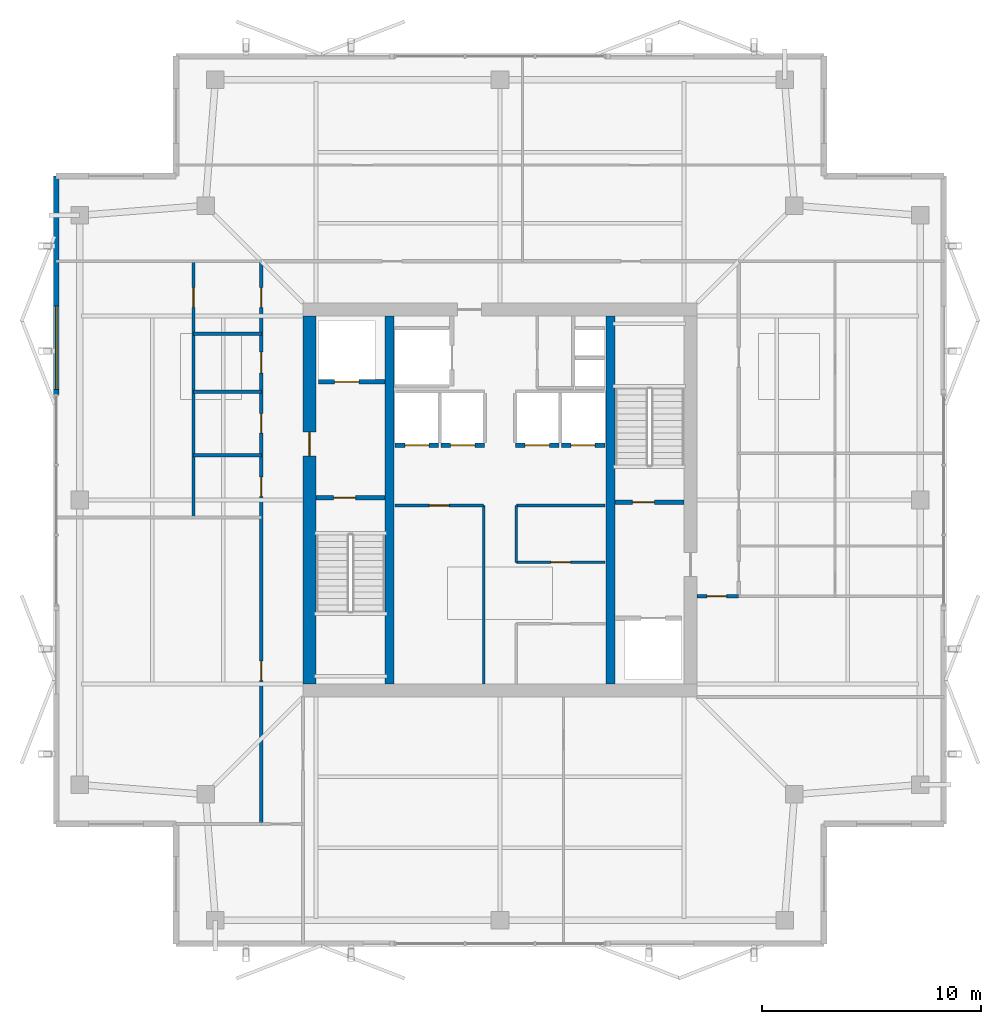
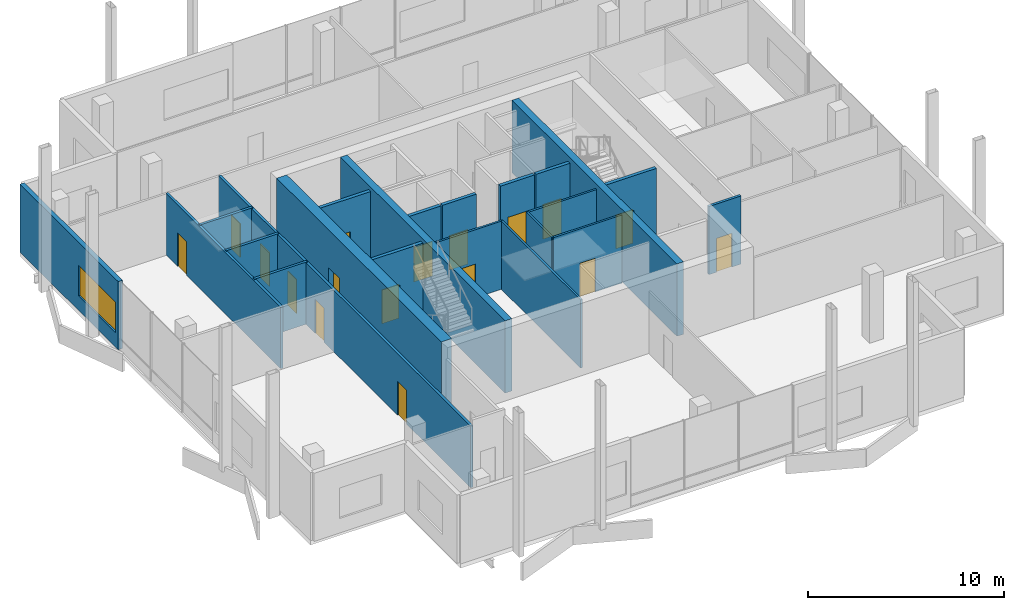
# One storey, part 12 of 15: 22 walls, 17 doors, 1 window, 18 openings.
"""IFC4 building model written with IfcOpenShell, lengths in metres."""

from ifc_helpers import new_model, si_unit, direction, frame, frame_2d, origin, place, context, subcontext, project, spatial, rectangle, extrude, material, layer, layer_set, type_object, element, fill, save


model = new_model("IFC4")

# Units and contexts
model_context = context("Model", 3, precision=1e-05, world=origin(), true_north=direction((0.0, 1.0)))
body_context = subcontext(model_context, "Body", "Model", "MODEL_VIEW")
ifc_project = project(units=[si_unit("LENGTHUNIT", "METRE"), si_unit("AREAUNIT", "SQUARE_METRE"), si_unit("VOLUMEUNIT", "CUBIC_METRE"), si_unit("PLANEANGLEUNIT", "RADIAN"), si_unit("MASSUNIT", "GRAM", prefix="KILO")], contexts=[model_context])

# Site, building, storey
site_placement = place(None, origin())
site = spatial("IfcSite", under=ifc_project, at=site_placement, CompositionType="ELEMENT")
building_placement = place(site_placement, origin())
building = spatial("IfcBuilding", under=site, at=building_placement, Name="Belovzor Exchange Tower", CompositionType="ELEMENT")
storey_placement = place(building_placement, frame((0.0, 0.0, 360.0)))
storey = spatial("IfcBuildingStorey", under=building, at=storey_placement, Name="L90", CompositionType="ELEMENT", Elevation=360.0)

# Wall, opening, door
ifc_material_1 = material(Name="Fire-Rated Plasterboard on Galvanised Studs", Category="gypsum")
ifc_layer_1 = layer(ifc_material_1, 0.1201171875)
ifc_layer_set_1 = layer_set([ifc_layer_1], Name="Fire-Rated Plasterboard on Galvanised Studs")
wall_type_1 = type_object("IfcWallType", Name="Fire-Rated Double-Stud Partition Wall 120", PredefinedType="PARTITIONING", material=ifc_layer_set_1)
wall_1_placement = place(storey_placement, frame((24.0, 28.550048828125, 0.0), z_axis=(0.0, 0.0, 1.0), x_axis=(1.0, 0.0, 0.0)))
wall_1 = element("IfcWall", 1, at=wall_1_placement, inside=storey, type_object=wall_type_1, Name="W-P120F Partition Wall W-CRWB-L90-N", PredefinedType="PARTITIONING", context=body_context, shape_type="SweptSolid", body=[
    extrude(rectangle(XDim=4.050048828125, YDim=0.1201171875, at=frame_2d((2.02490234375, 0.0))), origin(), (0.0, 0.0, 1.0), 4.239990234375),
])
opening_1_placement = place(wall_1_placement, frame((1.574951171875, 0.0, 0.0)))
opening_1 = element("IfcOpeningElement", 2, at=opening_1_placement, cuts=wall_1, Name="Opening D-FD60-090", PredefinedType="OPENING", context=body_context, shape_type="SweptSolid", body=[
    extrude(rectangle(XDim=0.89990234375, YDim=2.10009765625, at=frame_2d((0.449951171875, 1.050048828125))), frame((0.0, 0.070068359375, 0.0), z_axis=(0.0, -1.0, 0.0), x_axis=(1.0, 0.0, 0.0)), (0.0, 0.0, 1.0), 0.14013671875),
])
ifc_material_2 = material(Name="Acoustic Timber Fire Leaf", Category="wood")
door_type_1 = type_object("IfcDoorType", Name="Core Service & Restroom Fire Door 900x2100", OperationType="NOTDEFINED", PredefinedType="DOOR", material=ifc_material_2)
door_1_placement = place(opening_1_placement, origin())
door_1 = element("IfcDoor", 3, at=door_1_placement, inside=storey, type_object=door_type_1, Name="D-FD60-090 Core Service & Restroom Fire Door 900x2100", OperationType="SINGLE_SWING_LEFT", OverallHeight=2.10009765625, OverallWidth=0.89990234375, PredefinedType="DOOR", context=body_context, shape_type="SweptSolid", body=[
    extrude(rectangle(XDim=0.89990234375, YDim=2.10009765625, at=frame_2d((0.449951171875, 1.050048828125))), frame((0.0, 0.02490234375, 0.0), z_axis=(0.0, -1.0, 0.0), x_axis=(1.0, 0.0, 0.0)), (0.0, 0.0, 1.0), 0.050048828125),
])
fill(opening_1, door_1)

# Wall
wall_2_placement = place(storey_placement, frame((28.050048828125, 20.39990234375, 0.0), z_axis=(0.0, 0.0, 1.0), x_axis=(0.0, 1.0, 0.0)))
element("IfcWall", 4, at=wall_2_placement, inside=storey, type_object=wall_type_1, Name="W-P120F Partition Wall W-CRWB-L90-E", PredefinedType="PARTITIONING", context=body_context, shape_type="SweptSolid", body=[
    extrude(rectangle(XDim=8.150146484375, YDim=0.1201171875, at=frame_2d((4.0751953125, 0.0))), origin(), (0.0, 0.0, 1.0), 4.239990234375),
])

# Wall, opening, door
wall_3_placement = place(storey_placement, frame((29.550048828125, 25.949951171875, 0.0), z_axis=(0.0, 0.0, 1.0), x_axis=(1.0, 0.0, 0.0)))
wall_3 = element("IfcWall", 5, at=wall_3_placement, inside=storey, type_object=wall_type_1, Name="W-P120F Partition Wall W-CRM-L90-ES", PredefinedType="PARTITIONING", context=body_context, shape_type="SweptSolid", body=[
    extrude(rectangle(XDim=4.050048828125, YDim=0.1201171875, at=frame_2d((2.02490234375, 0.0))), origin(), (0.0, 0.0, 1.0), 4.239990234375),
])
opening_2_placement = place(wall_3_placement, frame((1.574951171875, 0.0, 0.0)))
opening_2 = element("IfcOpeningElement", 6, at=opening_2_placement, cuts=wall_3, Name="Opening D-FD60-090", PredefinedType="OPENING", context=body_context, shape_type="SweptSolid", body=[
    extrude(rectangle(XDim=0.89990234375, YDim=2.10009765625, at=frame_2d((0.449951171875, 1.050048828125))), frame((0.0, 0.070068359375, 0.0), z_axis=(0.0, -1.0, 0.0), x_axis=(1.0, 0.0, 0.0)), (0.0, 0.0, 1.0), 0.14013671875),
])
door_2_placement = place(opening_2_placement, origin())
door_2 = element("IfcDoor", 7, at=door_2_placement, inside=storey, type_object=door_type_1, Name="D-FD60-090 Core Service & Restroom Fire Door 900x2100", OperationType="SINGLE_SWING_RIGHT", OverallHeight=2.10009765625, OverallWidth=0.89990234375, PredefinedType="DOOR", context=body_context, shape_type="SweptSolid", body=[
    extrude(rectangle(XDim=0.89990234375, YDim=2.10009765625, at=frame_2d((0.449951171875, 1.050048828125))), frame((0.0, 0.02490234375, 0.0), z_axis=(0.0, -1.0, 0.0), x_axis=(1.0, 0.0, 0.0)), (0.0, 0.0, 1.0), 0.050048828125),
])
fill(opening_2, door_2)

# Walls
wall_4_placement = place(storey_placement, frame((29.550048828125, 28.550048828125, 0.0), z_axis=(0.0, 0.0, 1.0), x_axis=(1.0, 0.0, 0.0)))
element("IfcWall", 8, at=wall_4_placement, inside=storey, type_object=wall_type_1, Name="W-P120F Partition Wall W-CRM-L90-EN", PredefinedType="PARTITIONING", context=body_context, shape_type="SweptSolid", body=[
    extrude(rectangle(XDim=4.050048828125, YDim=0.1201171875, at=frame_2d((2.02490234375, 0.0))), origin(), (0.0, 0.0, 1.0), 4.239990234375),
])
wall_5_placement = place(storey_placement, frame((29.550048828125, 25.949951171875, 0.0), z_axis=(0.0, 0.0, 1.0), x_axis=(0.0, 1.0, 0.0)))
element("IfcWall", 9, at=wall_5_placement, inside=storey, type_object=wall_type_1, Name="W-P120F Partition Wall W-CRM-L90-EW", PredefinedType="PARTITIONING", context=body_context, shape_type="SweptSolid", body=[
    extrude(rectangle(XDim=2.60009765625, YDim=0.1201171875, at=frame_2d((1.300048828125, 0.0))), origin(), (0.0, 0.0, 1.0), 4.239990234375),
])

# Wall, opening, door
ifc_material_3 = material(Name="Fire-Rated Gypsum Block and Mineral Wool", Category="gypsum")
ifc_layer_2 = layer(ifc_material_3, 0.14990234375)
ifc_layer_set_2 = layer_set([ifc_layer_2], Name="Fire-Rated Gypsum Block and Mineral Wool")
wall_type_2 = type_object("IfcWallType", Name="Fire-Rated Gypsum Block Corridor Wall 150", PredefinedType="PARTITIONING", material=ifc_layer_set_2)
wall_6_placement = place(storey_placement, frame((14.800048828125, 28.0, 0.0), z_axis=(0.0, 0.0, 1.0), x_axis=(0.0, 1.0, 0.0)))
wall_6 = element("IfcWall", 10, at=wall_6_placement, inside=storey, type_object=wall_type_2, Name="W-P150 Partition Wall W-L90-WCW", PredefinedType="PARTITIONING", context=body_context, shape_type="SweptSolid", body=[
    extrude(rectangle(XDim=11.699951171875, YDim=0.14990234375, at=frame_2d((5.85009765625, 0.0))), origin(), (0.0, 0.0, 1.0), 3.824951171875),
])
opening_3_placement = place(wall_6_placement, frame((9.60009765625, 0.0, 0.0)))
opening_3 = element("IfcOpeningElement", 11, at=opening_3_placement, cuts=wall_6, Name="Opening D-INT-090", PredefinedType="OPENING", context=body_context, shape_type="SweptSolid", body=[
    extrude(rectangle(XDim=0.89990234375, YDim=2.10009765625, at=frame_2d((0.449951171875, 1.050048828125))), frame((0.0, 0.0849609375, 0.0), z_axis=(0.0, -1.0, 0.0), x_axis=(1.0, 0.0, 0.0)), (0.0, 0.0, 1.0), 0.169921875),
])
ifc_material_4 = material(Name="Veneered Hardwood Acoustic Leaf", Category="wood")
door_type_2 = type_object("IfcDoorType", Name="Trading Suite Acoustic Single Door 900x2100", OperationType="NOTDEFINED", PredefinedType="DOOR", material=ifc_material_4)
door_3_placement = place(opening_3_placement, origin())
door_3 = element("IfcDoor", 12, at=door_3_placement, inside=storey, type_object=door_type_2, Name="D-INT-090 Trading Suite Acoustic Single Door 900x2100", OperationType="SINGLE_SWING_LEFT", OverallHeight=2.10009765625, OverallWidth=0.89990234375, PredefinedType="DOOR", context=body_context, shape_type="SweptSolid", body=[
    extrude(rectangle(XDim=0.89990234375, YDim=2.10009765625, at=frame_2d((0.449951171875, 1.050048828125))), frame((0.0, 0.02490234375, 0.0), z_axis=(0.0, -1.0, 0.0), x_axis=(1.0, 0.0, 0.0)), (0.0, 0.0, 1.0), 0.050048828125),
])
fill(opening_3, door_3)

# Walls
for number, where, z_axis, x_axis, name in (
    (13, (14.800048828125, 36.39990234375, 0.0), (0.0, 0.0, 1.0), (1.0, 0.0, 0.0), "W-P150 Partition Wall W-L90-WCN"),
    (14, (14.800048828125, 30.85009765625, 0.0), (0.0, 0.0, 1.0), (1.0, 0.0, 0.0), "W-P150 Partition Wall W-L90-WCD1"),
    (15, (14.800048828125, 33.75, 0.0), (0.0, 0.0, 1.0), (1.0, 0.0, 0.0), "W-P150 Partition Wall W-L90-WCD2"),
):
    element("IfcWall", number, at=place(storey_placement, frame(where, z_axis=z_axis, x_axis=x_axis)), inside=storey, type_object=wall_type_2, Name=name, PredefinedType="PARTITIONING", context=body_context, shape_type="SweptSolid", body=[
        extrude(rectangle(XDim=3.099853515625, YDim=0.14990234375, at=frame_2d((1.5498046875, 0.0))), origin(), (0.0, 0.0, 1.0), 3.864990234375),
    ])

# Wall, opening, door
wall_7_placement = place(storey_placement, frame((37.800048828125, 24.39990234375, 0.0), z_axis=(0.0, 0.0, 1.0), x_axis=(1.0, 0.0, 0.0)))
wall_7 = element("IfcWall", 16, at=wall_7_placement, inside=storey, type_object=wall_type_2, Name="W-P150 Partition Wall W-L90-CE-END", PredefinedType="PARTITIONING", context=body_context, shape_type="SweptSolid", body=[
    extrude(rectangle(XDim=1.89990234375, YDim=0.14990234375, at=frame_2d((0.949951171875, 0.0))), origin(), (0.0, 0.0, 1.0), 4.239990234375),
])
opening_4_placement = place(wall_7_placement, frame((0.449951171875, 0.0, 0.0)))
opening_4 = element("IfcOpeningElement", 17, at=opening_4_placement, cuts=wall_7, Name="Opening D-FD60-090", PredefinedType="OPENING", context=body_context, shape_type="SweptSolid", body=[
    extrude(rectangle(XDim=0.89990234375, YDim=2.10009765625, at=frame_2d((0.449951171875, 1.050048828125))), frame((0.0, 0.0849609375, 0.0), z_axis=(0.0, -1.0, 0.0), x_axis=(1.0, 0.0, 0.0)), (0.0, 0.0, 1.0), 0.169921875),
])
door_4_placement = place(opening_4_placement, origin())
door_4 = element("IfcDoor", 18, at=door_4_placement, inside=storey, type_object=door_type_1, Name="D-FD60-090 Core Service & Restroom Fire Door 900x2100", OperationType="SINGLE_SWING_LEFT", OverallHeight=2.10009765625, OverallWidth=0.89990234375, PredefinedType="DOOR", context=body_context, shape_type="SweptSolid", body=[
    extrude(rectangle(XDim=0.89990234375, YDim=2.10009765625, at=frame_2d((0.449951171875, 1.050048828125))), frame((0.0, 0.02490234375, 0.0), z_axis=(0.0, -1.0, 0.0), x_axis=(1.0, 0.0, 0.0)), (0.0, 0.0, 1.0), 0.050048828125),
])
fill(opening_4, door_4)

# Wall, openings, doors
wall_8_placement = place(storey_placement, frame((17.89990234375, 14.0, 0.0), z_axis=(0.0, 0.0, 1.0), x_axis=(0.0, 1.0, 0.0)))
wall_8 = element("IfcWall", 19, at=wall_8_placement, inside=storey, type_object=wall_type_2, Name="W-P150 Partition Wall W-L90-CW", PredefinedType="PARTITIONING", context=body_context, shape_type="SweptSolid", body=[
    extrude(rectangle(XDim=25.699951171875, YDim=0.14990234375, at=frame_2d((12.85009765625, 0.0))), origin(), (0.0, 0.0, 1.0), 3.824951171875),
])
opening_5_placement = place(wall_8_placement, frame((6.550048828125, 0.0, 0.0)))
opening_5 = element("IfcOpeningElement", 20, at=opening_5_placement, cuts=wall_8, Name="Opening D-INT-090", PredefinedType="OPENING", context=body_context, shape_type="SweptSolid", body=[
    extrude(rectangle(XDim=0.89990234375, YDim=2.10009765625, at=frame_2d((0.449951171875, 1.050048828125))), frame((0.0, 0.0849609375, 0.0), z_axis=(0.0, -1.0, 0.0), x_axis=(1.0, 0.0, 0.0)), (0.0, 0.0, 1.0), 0.169921875),
])
opening_6_placement = place(wall_8_placement, frame((14.949951171875, 0.0, 0.0)))
opening_6 = element("IfcOpeningElement", 21, at=opening_6_placement, cuts=wall_8, Name="Opening D-FD60-090", PredefinedType="OPENING", context=body_context, shape_type="SweptSolid", body=[
    extrude(rectangle(XDim=0.89990234375, YDim=2.10009765625, at=frame_2d((0.449951171875, 1.050048828125))), frame((0.0, 0.0849609375, 0.0), z_axis=(0.0, -1.0, 0.0), x_axis=(1.0, 0.0, 0.0)), (0.0, 0.0, 1.0), 0.169921875),
])
opening_7_placement = place(wall_8_placement, frame((17.85009765625, 0.0, 0.0)))
opening_7 = element("IfcOpeningElement", 22, at=opening_7_placement, cuts=wall_8, Name="Opening D-FD60-090", PredefinedType="OPENING", context=body_context, shape_type="SweptSolid", body=[
    extrude(rectangle(XDim=0.89990234375, YDim=2.10009765625, at=frame_2d((0.449951171875, 1.050048828125))), frame((0.0, 0.0849609375, 0.0), z_axis=(0.0, -1.0, 0.0), x_axis=(1.0, 0.0, 0.0)), (0.0, 0.0, 1.0), 0.169921875),
])
opening_8_placement = place(wall_8_placement, frame((20.60009765625, 0.0, 0.0)))
opening_8 = element("IfcOpeningElement", 23, at=opening_8_placement, cuts=wall_8, Name="Opening D-FD60-095", PredefinedType="OPENING", context=body_context, shape_type="SweptSolid", body=[
    extrude(rectangle(XDim=0.949951171875, YDim=2.10009765625, at=frame_2d((0.47509765625, 1.050048828125))), frame((0.0, 0.0849609375, 0.0), z_axis=(0.0, -1.0, 0.0), x_axis=(1.0, 0.0, 0.0)), (0.0, 0.0, 1.0), 0.169921875),
])
opening_9_placement = place(wall_8_placement, frame((23.60009765625, 0.0, 0.0)))
opening_9 = element("IfcOpeningElement", 24, at=opening_9_placement, cuts=wall_8, Name="Opening D-FD60-090", PredefinedType="OPENING", context=body_context, shape_type="SweptSolid", body=[
    extrude(rectangle(XDim=0.89990234375, YDim=2.10009765625, at=frame_2d((0.449951171875, 1.050048828125))), frame((0.0, 0.0849609375, 0.0), z_axis=(0.0, -1.0, 0.0), x_axis=(1.0, 0.0, 0.0)), (0.0, 0.0, 1.0), 0.169921875),
])
ifc_material_5 = material(Name="Moisture-Resistant Timber Fire Leaf", Category="wood")
door_type_3 = type_object("IfcDoorType", Name="Accessible Restroom Wide Fire Door 950x2100", OperationType="NOTDEFINED", PredefinedType="DOOR", material=ifc_material_5)
door_5_placement = place(opening_8_placement, origin())
door_5 = element("IfcDoor", 25, at=door_5_placement, inside=storey, type_object=door_type_3, Name="D-FD60-095 Accessible Restroom Wide Fire Door 950x2100", OperationType="SINGLE_SWING_LEFT", OverallHeight=2.10009765625, OverallWidth=0.949951171875, PredefinedType="DOOR", context=body_context, shape_type="SweptSolid", body=[
    extrude(rectangle(XDim=0.949951171875, YDim=2.10009765625, at=frame_2d((0.47509765625, 1.050048828125))), frame((0.0, 0.02490234375, 0.0), z_axis=(0.0, -1.0, 0.0), x_axis=(1.0, 0.0, 0.0)), (0.0, 0.0, 1.0), 0.050048828125),
])
fill(opening_8, door_5)
door_6_placement = place(opening_6_placement, origin())
door_6 = element("IfcDoor", 26, at=door_6_placement, inside=storey, type_object=door_type_1, Name="D-FD60-090 Core Service & Restroom Fire Door 900x2100", OperationType="SINGLE_SWING_LEFT", OverallHeight=2.10009765625, OverallWidth=0.89990234375, PredefinedType="DOOR", context=body_context, shape_type="SweptSolid", body=[
    extrude(rectangle(XDim=0.89990234375, YDim=2.10009765625, at=frame_2d((0.449951171875, 1.050048828125))), frame((0.0, 0.02490234375, 0.0), z_axis=(0.0, -1.0, 0.0), x_axis=(1.0, 0.0, 0.0)), (0.0, 0.0, 1.0), 0.050048828125),
])
fill(opening_6, door_6)
door_7_placement = place(opening_7_placement, origin())
door_7 = element("IfcDoor", 27, at=door_7_placement, inside=storey, type_object=door_type_1, Name="D-FD60-090 Core Service & Restroom Fire Door 900x2100", OperationType="SINGLE_SWING_RIGHT", OverallHeight=2.10009765625, OverallWidth=0.89990234375, PredefinedType="DOOR", context=body_context, shape_type="SweptSolid", body=[
    extrude(rectangle(XDim=0.89990234375, YDim=2.10009765625, at=frame_2d((0.449951171875, 1.050048828125))), frame((0.0, 0.02490234375, 0.0), z_axis=(0.0, -1.0, 0.0), x_axis=(1.0, 0.0, 0.0)), (0.0, 0.0, 1.0), 0.050048828125),
])
fill(opening_7, door_7)
door_8_placement = place(opening_9_placement, origin())
door_8 = element("IfcDoor", 28, at=door_8_placement, inside=storey, type_object=door_type_1, Name="D-FD60-090 Core Service & Restroom Fire Door 900x2100", OperationType="SINGLE_SWING_LEFT", OverallHeight=2.10009765625, OverallWidth=0.89990234375, PredefinedType="DOOR", context=body_context, shape_type="SweptSolid", body=[
    extrude(rectangle(XDim=0.89990234375, YDim=2.10009765625, at=frame_2d((0.449951171875, 1.050048828125))), frame((0.0, 0.02490234375, 0.0), z_axis=(0.0, -1.0, 0.0), x_axis=(1.0, 0.0, 0.0)), (0.0, 0.0, 1.0), 0.050048828125),
])
fill(opening_9, door_8)
door_9_placement = place(opening_5_placement, origin())
door_9 = element("IfcDoor", 29, at=door_9_placement, inside=storey, type_object=door_type_2, Name="D-INT-090 Trading Suite Acoustic Single Door 900x2100", OperationType="SINGLE_SWING_LEFT", OverallHeight=2.10009765625, OverallWidth=0.89990234375, PredefinedType="DOOR", context=body_context, shape_type="SweptSolid", body=[
    extrude(rectangle(XDim=0.89990234375, YDim=2.10009765625, at=frame_2d((0.449951171875, 1.050048828125))), frame((0.0, 0.02490234375, 0.0), z_axis=(0.0, -1.0, 0.0), x_axis=(1.0, 0.0, 0.0)), (0.0, 0.0, 1.0), 0.050048828125),
])
fill(opening_5, door_9)

# Wall, opening, window
ifc_material_6 = material(Name="Precast concrete C40/50", Category="concrete")
ifc_layer_3 = layer(ifc_material_6, 0.260009765625)
ifc_layer_set_3 = layer_set([ifc_layer_3], Name="Precast concrete C40/50")
wall_type_3 = type_object("IfcWallType", Name="Precast Concrete Perimeter Loggia Frame Wall 260", PredefinedType="SOLIDWALL", material=ifc_layer_set_3)
wall_9_placement = place(storey_placement, frame((8.530029296875, 33.60009765625, 0.0), z_axis=(0.0, 0.0, 1.0), x_axis=(0.0, 1.0, 0.0)))
wall_9 = element("IfcWall", 30, at=wall_9_placement, inside=storey, type_object=wall_type_3, Name="W-EXT260 Precast Concrete Perimeter Loggia Frame Wall 260 L90", PredefinedType="SOLIDWALL", context=body_context, shape_type="SweptSolid", body=[
    extrude(rectangle(XDim=10.0, YDim=0.260009765625, at=frame_2d((5.0, 0.0))), origin(), (0.0, 0.0, 1.0), 4.239990234375),
])
opening_10_placement = place(wall_9_placement, frame((0.25, 0.0, 0.89990234375)))
opening_10 = element("IfcOpeningElement", 31, at=opening_10_placement, cuts=wall_9, Name="Opening WN-RIB380", PredefinedType="OPENING", context=body_context, shape_type="SweptSolid", body=[
    extrude(rectangle(XDim=3.800048828125, YDim=1.89990234375, at=frame_2d((1.89990234375, 0.949951171875))), frame((0.0, 0.139892578125, 0.0), z_axis=(0.0, -1.0, 0.0), x_axis=(1.0, 0.0, 0.0)), (0.0, 0.0, 1.0), 0.280029296875),
])
ifc_material_7 = material(Name="Thermally Broken Aluminium and Triple Glazing", Category="aluminium")
window_type = type_object("IfcWindowType", Name="Streamline Moderne Horizontal Ribbon Window 3800x1900", PartitioningType="SINGLE_PANEL", PredefinedType="WINDOW", material=ifc_material_7)
window_placement = place(opening_10_placement, origin())
window = element("IfcWindow", 32, at=window_placement, inside=storey, type_object=window_type, Name="WN-RIB380 Streamline Moderne Horizontal Ribbon Window 3800x1900", OverallHeight=1.89990234375, OverallWidth=3.800048828125, PartitioningType="SINGLE_PANEL", PredefinedType="WINDOW", context=body_context, shape_type="SweptSolid", body=[
    extrude(rectangle(XDim=3.800048828125, YDim=1.89990234375, at=frame_2d((1.89990234375, 0.949951171875))), frame((0.0, 0.030029296875, 0.0), z_axis=(0.0, -1.0, 0.0), x_axis=(1.0, 0.0, 0.0)), (0.0, 0.0, 1.0), 0.06005859375),
])
fill(opening_10, window)

# Walls
ifc_material_8 = material(Name="Concrete C50/60", Category="concrete")
ifc_layer_4 = layer(ifc_material_8, 0.39990234375)
ifc_layer_set_4 = layer_set([ifc_layer_4], Name="Concrete C50/60")
wall_type_4 = type_object("IfcWallType", Name="Reinforced Concrete Core Internal Web Wall 400", PredefinedType="SHEAR", material=ifc_layer_set_4)
for number, where, z_axis, x_axis, name in (
    (33, (23.75, 20.39990234375, 0.0), (0.0, 0.0, 1.0), (0.0, 1.0, 0.0), "CW-W040 Core Internal Web Wall L90 WL"),
    (34, (33.85009765625, 20.39990234375, 0.0), (0.0, 0.0, 1.0), (0.0, 1.0, 0.0), "CW-W040 Core Internal Web Wall L90 ER"),
):
    element("IfcWall", number, at=place(storey_placement, frame(where, z_axis=z_axis, x_axis=x_axis)), inside=storey, type_object=wall_type_4, Name=name, PredefinedType="SHEAR", context=body_context, shape_type="SweptSolid", body=[
        extrude(rectangle(XDim=16.800048828125, YDim=0.39990234375, at=frame_2d((8.39990234375, 0.0))), origin(), (0.0, 0.0, 1.0), 4.5),
    ])

# Wall, opening, door
ifc_material_9 = material(Name="Concrete C50/60", Category="concrete")
ifc_layer_5 = layer(ifc_material_9, 0.199951171875)
ifc_layer_set_5 = layer_set([ifc_layer_5], Name="Concrete C50/60")
wall_type_5 = type_object("IfcWallType", Name="Reinforced Concrete Core Shaft Shear Wall 200", PredefinedType="SHEAR", material=ifc_layer_set_5)
wall_10_placement = place(storey_placement, frame((20.39990234375, 28.89990234375, 0.0), z_axis=(0.0, 0.0, 1.0), x_axis=(1.0, 0.0, 0.0)))
wall_10 = element("IfcWall", 35, at=wall_10_placement, inside=storey, type_object=wall_type_5, Name="W-C200S Core Shaft Wall W-CORE-L90-FFLW1", PredefinedType="SHEAR", context=body_context, shape_type="SweptSolid", body=[
    extrude(rectangle(XDim=3.150146484375, YDim=0.199951171875, at=frame_2d((1.5751953125, 0.0))), origin(), (0.0, 0.0, 1.0), 4.239990234375),
])
opening_11_placement = place(wall_10_placement, frame((0.800048828125, 0.0, 0.0)))
opening_11 = element("IfcOpeningElement", 36, at=opening_11_placement, cuts=wall_10, Name="Opening D-FD90-100", PredefinedType="OPENING", context=body_context, shape_type="SweptSolid", body=[
    extrude(rectangle(XDim=1.0, YDim=2.10009765625, at=frame_2d((0.5, 1.050048828125))), frame((0.0, 0.10986328125, 0.0), z_axis=(0.0, -1.0, 0.0), x_axis=(1.0, 0.0, 0.0)), (0.0, 0.0, 1.0), 0.219970703125),
])
ifc_material_10 = material(Name="Fire-Rated Galvanised Steel Leaf", Category="steel")
door_type_4 = type_object("IfcDoorType", Name="Protected Stairwell Single Fire Door 1000x2100", OperationType="NOTDEFINED", PredefinedType="DOOR", material=ifc_material_10)
door_10_placement = place(opening_11_placement, origin())
door_10 = element("IfcDoor", 37, at=door_10_placement, inside=storey, type_object=door_type_4, Name="D-FD90-100 Protected Stairwell Single Fire Door 1000x2100", OperationType="SINGLE_SWING_RIGHT", OverallHeight=2.10009765625, OverallWidth=1.0, PredefinedType="DOOR", context=body_context, shape_type="SweptSolid", body=[
    extrude(rectangle(XDim=1.0, YDim=2.10009765625, at=frame_2d((0.5, 1.050048828125))), frame((0.0, 0.02490234375, 0.0), z_axis=(0.0, -1.0, 0.0), x_axis=(1.0, 0.0, 0.0)), (0.0, 0.0, 1.0), 0.050048828125),
])
fill(opening_11, door_10)

wall_11_placement = place(storey_placement, frame((34.050048828125, 28.699951171875, 0.0), z_axis=(0.0, 0.0, 1.0), x_axis=(1.0, 0.0, 0.0)))
wall_11 = element("IfcWall", 38, at=wall_11_placement, inside=storey, type_object=wall_type_5, Name="W-C200S Core Shaft Wall W-CORE-L90-FFLE2", PredefinedType="SHEAR", context=body_context, shape_type="SweptSolid", body=[
    extrude(rectangle(XDim=3.14990234375, YDim=0.199951171875, at=frame_2d((1.574951171875, 0.0))), origin(), (0.0, 0.0, 1.0), 4.239990234375),
])
opening_12_placement = place(wall_11_placement, frame((0.800048828125, 0.0, 0.0)))
opening_12 = element("IfcOpeningElement", 39, at=opening_12_placement, cuts=wall_11, Name="Opening D-FD90-100", PredefinedType="OPENING", context=body_context, shape_type="SweptSolid", body=[
    extrude(rectangle(XDim=1.0, YDim=2.10009765625, at=frame_2d((0.5, 1.050048828125))), frame((0.0, 0.10986328125, 0.0), z_axis=(0.0, -1.0, 0.0), x_axis=(1.0, 0.0, 0.0)), (0.0, 0.0, 1.0), 0.219970703125),
])
door_11_placement = place(opening_12_placement, origin())
door_11 = element("IfcDoor", 40, at=door_11_placement, inside=storey, type_object=door_type_4, Name="D-FD90-100 Protected Stairwell Single Fire Door 1000x2100", OperationType="SINGLE_SWING_LEFT", OverallHeight=2.10009765625, OverallWidth=1.0, PredefinedType="DOOR", context=body_context, shape_type="SweptSolid", body=[
    extrude(rectangle(XDim=1.0, YDim=2.10009765625, at=frame_2d((0.5, 1.050048828125))), frame((0.0, 0.02490234375, 0.0), z_axis=(0.0, -1.0, 0.0), x_axis=(1.0, 0.0, 0.0)), (0.0, 0.0, 1.0), 0.050048828125),
])
fill(opening_12, door_11)

wall_12_placement = place(storey_placement, frame((20.5, 34.199951171875, 0.0), z_axis=(0.0, 0.0, 1.0), x_axis=(1.0, 0.0, 0.0)))
wall_12 = element("IfcWall", 41, at=wall_12_placement, inside=storey, type_object=wall_type_5, Name="W-C200S Core Shaft Wall W-SH-L90-FFL-01", PredefinedType="SHEAR", context=body_context, shape_type="SweptSolid", body=[
    extrude(rectangle(XDim=3.050048828125, YDim=0.199951171875, at=frame_2d((1.52490234375, 0.0))), origin(), (0.0, 0.0, 1.0), 4.239990234375),
])
opening_13_placement = place(wall_12_placement, frame((0.75, 0.0, 0.0)))
opening_13 = element("IfcOpeningElement", 42, at=opening_13_placement, cuts=wall_12, Name="Opening LD-110", PredefinedType="OPENING", context=body_context, shape_type="SweptSolid", body=[
    extrude(rectangle(XDim=1.10009765625, YDim=2.14990234375, at=frame_2d((0.550048828125, 1.074951171875))), frame((0.0, 0.10986328125, 0.0), z_axis=(0.0, -1.0, 0.0), x_axis=(1.0, 0.0, 0.0)), (0.0, 0.0, 1.0), 0.219970703125),
])
ifc_material_11 = material(Name="Stainless Steel Grade 304", Category="steel")
door_type_5 = type_object("IfcDoorType", Name="Automated Stainless Steel Lift Landing Door 1100x2150", OperationType="SLIDING_TO_RIGHT", PredefinedType="DOOR", material=ifc_material_11)
door_12_placement = place(opening_13_placement, origin())
door_12 = element("IfcDoor", 43, at=door_12_placement, inside=storey, type_object=door_type_5, Name="LD-110 Automated Stainless Steel Lift Landing Door 1100x2150", OperationType="SLIDING_TO_RIGHT", OverallHeight=2.14990234375, OverallWidth=1.10009765625, PredefinedType="DOOR", context=body_context, shape_type="SweptSolid", body=[
    extrude(rectangle(XDim=1.10009765625, YDim=2.14990234375, at=frame_2d((0.550048828125, 1.074951171875))), frame((0.0, 0.02490234375, 0.0), z_axis=(0.0, -1.0, 0.0), x_axis=(1.0, 0.0, 0.0)), (0.0, 0.0, 1.0), 0.050048828125),
])
fill(opening_13, door_12)

wall_13_placement = place(storey_placement, frame((24.0, 31.300048828125, 0.0), z_axis=(0.0, 0.0, 1.0), x_axis=(1.0, 0.0, 0.0)))
wall_13 = element("IfcWall", 44, at=wall_13_placement, inside=storey, type_object=wall_type_5, Name="W-C200S Core Shaft Wall W-SH-L90-PL-H1", PredefinedType="SHEAR", context=body_context, shape_type="SweptSolid", body=[
    extrude(rectangle(XDim=2.0, YDim=0.199951171875, at=frame_2d((1.0, 0.0))), origin(), (0.0, 0.0, 1.0), 4.239990234375),
])
opening_14_placement = place(wall_13_placement, frame((0.449951171875, 0.0, 0.0)))
opening_14 = element("IfcOpeningElement", 45, at=opening_14_placement, cuts=wall_13, Name="Opening LD-110", PredefinedType="OPENING", context=body_context, shape_type="SweptSolid", body=[
    extrude(rectangle(XDim=1.10009765625, YDim=2.14990234375, at=frame_2d((0.550048828125, 1.074951171875))), frame((0.0, 0.10986328125, 0.0), z_axis=(0.0, -1.0, 0.0), x_axis=(1.0, 0.0, 0.0)), (0.0, 0.0, 1.0), 0.219970703125),
])
door_13_placement = place(opening_14_placement, origin())
door_13 = element("IfcDoor", 46, at=door_13_placement, inside=storey, type_object=door_type_5, Name="LD-110 Automated Stainless Steel Lift Landing Door 1100x2150", OperationType="SLIDING_TO_RIGHT", OverallHeight=2.14990234375, OverallWidth=1.10009765625, PredefinedType="DOOR", context=body_context, shape_type="SweptSolid", body=[
    extrude(rectangle(XDim=1.10009765625, YDim=2.14990234375, at=frame_2d((0.550048828125, 1.074951171875))), frame((0.0, 0.02490234375, 0.0), z_axis=(0.0, -1.0, 0.0), x_axis=(1.0, 0.0, 0.0)), (0.0, 0.0, 1.0), 0.050048828125),
])
fill(opening_14, door_13)

wall_14_placement = place(storey_placement, frame((26.10009765625, 31.300048828125, 0.0), z_axis=(0.0, 0.0, 1.0), x_axis=(1.0, 0.0, 0.0)))
wall_14 = element("IfcWall", 47, at=wall_14_placement, inside=storey, type_object=wall_type_5, Name="W-C200S Core Shaft Wall W-SH-L90-PL-H2", PredefinedType="SHEAR", context=body_context, shape_type="SweptSolid", body=[
    extrude(rectangle(XDim=2.0, YDim=0.199951171875, at=frame_2d((1.0, 0.0))), origin(), (0.0, 0.0, 1.0), 4.239990234375),
])
opening_15_placement = place(wall_14_placement, frame((0.449951171875, 0.0, 0.0)))
opening_15 = element("IfcOpeningElement", 48, at=opening_15_placement, cuts=wall_14, Name="Opening LD-110", PredefinedType="OPENING", context=body_context, shape_type="SweptSolid", body=[
    extrude(rectangle(XDim=1.10009765625, YDim=2.14990234375, at=frame_2d((0.550048828125, 1.074951171875))), frame((0.0, 0.10986328125, 0.0), z_axis=(0.0, -1.0, 0.0), x_axis=(1.0, 0.0, 0.0)), (0.0, 0.0, 1.0), 0.219970703125),
])
door_14_placement = place(opening_15_placement, origin())
door_14 = element("IfcDoor", 49, at=door_14_placement, inside=storey, type_object=door_type_5, Name="LD-110 Automated Stainless Steel Lift Landing Door 1100x2150", OperationType="SLIDING_TO_RIGHT", OverallHeight=2.14990234375, OverallWidth=1.10009765625, PredefinedType="DOOR", context=body_context, shape_type="SweptSolid", body=[
    extrude(rectangle(XDim=1.10009765625, YDim=2.14990234375, at=frame_2d((0.550048828125, 1.074951171875))), frame((0.0, 0.02490234375, 0.0), z_axis=(0.0, -1.0, 0.0), x_axis=(1.0, 0.0, 0.0)), (0.0, 0.0, 1.0), 0.050048828125),
])
fill(opening_15, door_14)

wall_15_placement = place(storey_placement, frame((29.5, 31.300048828125, 0.0), z_axis=(0.0, 0.0, 1.0), x_axis=(1.0, 0.0, 0.0)))
wall_15 = element("IfcWall", 50, at=wall_15_placement, inside=storey, type_object=wall_type_5, Name="W-C200S Core Shaft Wall W-SH-L90-PL-H3", PredefinedType="SHEAR", context=body_context, shape_type="SweptSolid", body=[
    extrude(rectangle(XDim=2.0, YDim=0.199951171875, at=frame_2d((1.0, 0.0))), origin(), (0.0, 0.0, 1.0), 4.239990234375),
])
opening_16_placement = place(wall_15_placement, frame((0.449951171875, 0.0, 0.0)))
opening_16 = element("IfcOpeningElement", 51, at=opening_16_placement, cuts=wall_15, Name="Opening LD-110", PredefinedType="OPENING", context=body_context, shape_type="SweptSolid", body=[
    extrude(rectangle(XDim=1.10009765625, YDim=2.14990234375, at=frame_2d((0.550048828125, 1.074951171875))), frame((0.0, 0.10986328125, 0.0), z_axis=(0.0, -1.0, 0.0), x_axis=(1.0, 0.0, 0.0)), (0.0, 0.0, 1.0), 0.219970703125),
])
door_15_placement = place(opening_16_placement, origin())
door_15 = element("IfcDoor", 52, at=door_15_placement, inside=storey, type_object=door_type_5, Name="LD-110 Automated Stainless Steel Lift Landing Door 1100x2150", OperationType="SLIDING_TO_RIGHT", OverallHeight=2.14990234375, OverallWidth=1.10009765625, PredefinedType="DOOR", context=body_context, shape_type="SweptSolid", body=[
    extrude(rectangle(XDim=1.10009765625, YDim=2.14990234375, at=frame_2d((0.550048828125, 1.074951171875))), frame((0.0, 0.02490234375, 0.0), z_axis=(0.0, -1.0, 0.0), x_axis=(1.0, 0.0, 0.0)), (0.0, 0.0, 1.0), 0.050048828125),
])
fill(opening_16, door_15)

wall_16_placement = place(storey_placement, frame((31.60009765625, 31.300048828125, 0.0), z_axis=(0.0, 0.0, 1.0), x_axis=(1.0, 0.0, 0.0)))
wall_16 = element("IfcWall", 53, at=wall_16_placement, inside=storey, type_object=wall_type_5, Name="W-C200S Core Shaft Wall W-SH-L90-PL-H4", PredefinedType="SHEAR", context=body_context, shape_type="SweptSolid", body=[
    extrude(rectangle(XDim=2.0, YDim=0.199951171875, at=frame_2d((1.0, 0.0))), origin(), (0.0, 0.0, 1.0), 4.239990234375),
])
opening_17_placement = place(wall_16_placement, frame((0.449951171875, 0.0, 0.0)))
opening_17 = element("IfcOpeningElement", 54, at=opening_17_placement, cuts=wall_16, Name="Opening LD-110", PredefinedType="OPENING", context=body_context, shape_type="SweptSolid", body=[
    extrude(rectangle(XDim=1.10009765625, YDim=2.14990234375, at=frame_2d((0.550048828125, 1.074951171875))), frame((0.0, 0.10986328125, 0.0), z_axis=(0.0, -1.0, 0.0), x_axis=(1.0, 0.0, 0.0)), (0.0, 0.0, 1.0), 0.219970703125),
])
door_16_placement = place(opening_17_placement, origin())
door_16 = element("IfcDoor", 55, at=door_16_placement, inside=storey, type_object=door_type_5, Name="LD-110 Automated Stainless Steel Lift Landing Door 1100x2150", OperationType="SLIDING_TO_RIGHT", OverallHeight=2.14990234375, OverallWidth=1.10009765625, PredefinedType="DOOR", context=body_context, shape_type="SweptSolid", body=[
    extrude(rectangle(XDim=1.10009765625, YDim=2.14990234375, at=frame_2d((0.550048828125, 1.074951171875))), frame((0.0, 0.02490234375, 0.0), z_axis=(0.0, -1.0, 0.0), x_axis=(1.0, 0.0, 0.0)), (0.0, 0.0, 1.0), 0.050048828125),
])
fill(opening_17, door_16)

ifc_material_12 = material(Name="Concrete C50/60", Category="concrete")
ifc_layer_6 = layer(ifc_material_12, 0.60009765625)
ifc_layer_set_6 = layer_set([ifc_layer_6], Name="Concrete C50/60")
wall_type_6 = type_object("IfcWallType", Name="Reinforced Concrete Core Shear Wall 600", PredefinedType="SHEAR", material=ifc_layer_set_6)
wall_17_placement = place(storey_placement, frame((20.10009765625, 20.39990234375, 0.0), z_axis=(0.0, 0.0, 1.0), x_axis=(0.0, 1.0, 0.0)))
wall_17 = element("IfcWall", 56, at=wall_17_placement, inside=storey, type_object=wall_type_6, Name="CW-S060 Core Shear Wall L90 W", PredefinedType="SHEAR", context=body_context, shape_type="SweptSolid", body=[
    extrude(rectangle(XDim=16.800048828125, YDim=0.60009765625, at=frame_2d((8.39990234375, 0.0))), origin(), (0.0, 0.0, 1.0), 4.5),
])
opening_18_placement = place(wall_17_placement, frame((10.39990234375, 0.0, 0.0)))
opening_18 = element("IfcOpeningElement", 57, at=opening_18_placement, cuts=wall_17, Name="Opening D-FD90-110", PredefinedType="OPENING", context=body_context, shape_type="SweptSolid", body=[
    extrude(rectangle(XDim=1.10009765625, YDim=2.14990234375, at=frame_2d((0.550048828125, 1.074951171875))), frame((0.0, 0.31005859375, 0.0), z_axis=(0.0, -1.0, 0.0), x_axis=(1.0, 0.0, 0.0)), (0.0, 0.0, 1.0), 0.6201171875),
])
ifc_material_13 = material(Name="Fire-Rated Galvanised Steel Leaf", Category="steel")
door_type_6 = type_object("IfcDoorType", Name="Protected Escape Vestibule Fire Door 1100x2150", OperationType="NOTDEFINED", PredefinedType="DOOR", material=ifc_material_13)
door_17_placement = place(opening_18_placement, origin())
door_17 = element("IfcDoor", 58, at=door_17_placement, inside=storey, type_object=door_type_6, Name="D-FD90-110 Protected Escape Vestibule Fire Door 1100x2150", OperationType="SINGLE_SWING_LEFT", OverallHeight=2.14990234375, OverallWidth=1.10009765625, PredefinedType="DOOR", context=body_context, shape_type="SweptSolid", body=[
    extrude(rectangle(XDim=1.10009765625, YDim=2.14990234375, at=frame_2d((0.550048828125, 1.074951171875))), frame((0.0, 0.02490234375, 0.0), z_axis=(0.0, -1.0, 0.0), x_axis=(1.0, 0.0, 0.0)), (0.0, 0.0, 1.0), 0.050048828125),
])
fill(opening_18, door_17)

save(model, "model.ifc")
